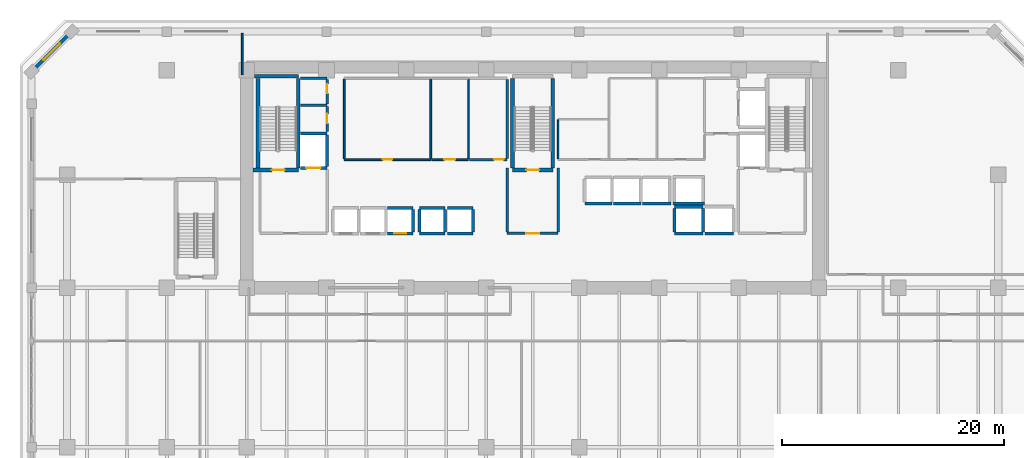
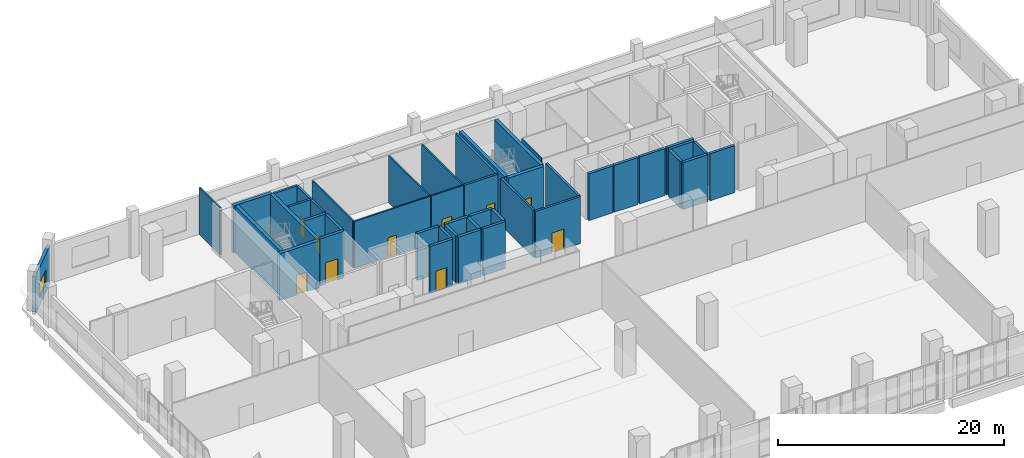
# One storey, part 19 of 25: 46 walls, 10 doors, 1 window, 11 openings.
"""IFC4 building model written with IfcOpenShell, lengths in metres."""

import ifcopenshell
import ifcopenshell.guid

model = None  # the IFC model being written
_history = None  # IfcOwnerHistory: only IFC2X3 demands one
_inside = {}  # id of a spatial element -> (the spatial element, [elements in it])
_under = {}  # id of a project, library or spatial element -> (it, [spatial elements below it])
_declared = {}  # id of a project -> (the project, [libraries it declares])
_typed = {}  # id of a type object -> (the type object, [elements of that type])
_made_of = {}  # id of a material, layer set ... -> (it, [elements and type objects made of it])


def new_model(schema):
    """Start an empty IFC model of exactly this schema.

    Asked for "IFC4X3", IfcOpenShell would pick the latest addendum, in which some entities
    have other attributes; the version numbers below select the first issue.
    IFC2X3 requires an IfcOwnerHistory on every rooted entity: one is made here for all.
    """
    global model, _history
    if schema == "IFC4X3":
        model = ifcopenshell.file(schema_version=(4, 3, 0, 0))
    else:
        model = ifcopenshell.file(schema=schema)
    _inside.clear()
    _under.clear()
    _declared.clear()
    _typed.clear()
    _made_of.clear()
    _history = None
    if model.schema == "IFC2X3":
        org = make("IfcOrganization", Name="unknown")
        user = make(
            "IfcPersonAndOrganization",
            ThePerson=make("IfcPerson", FamilyName="unknown"),
            TheOrganization=org,
        )
        app = make(
            "IfcApplication",
            ApplicationDeveloper=org,
            Version="unknown",
            ApplicationFullName="unknown",
            ApplicationIdentifier="unknown",
        )
        _history = make(
            "IfcOwnerHistory",
            OwningUser=user,
            OwningApplication=app,
            ChangeAction="ADDED",
            CreationDate=0,
        )
    return model


def make(cls, **values):
    """One entity of the class cls with the attributes given. An attribute that is None is left unset."""
    return model.create_entity(
        cls, **{name: value for name, value in values.items() if value is not None}
    )


def rooted(cls, **values):
    """An entity with a GlobalId (a new one), such as an element, a storey or a relation."""
    return make(cls, GlobalId=ifcopenshell.guid.new(), OwnerHistory=_history, **values)


def si_unit(unit_type, name, prefix=None):
    """IfcSIUnit, for example si_unit("LENGTHUNIT", "METRE", prefix="MILLI")."""
    return make("IfcSIUnit", UnitType=unit_type, Prefix=prefix, Name=name)


def assignment(units):
    """IfcUnitAssignment: the units of a project."""
    return None if units is None else make("IfcUnitAssignment", Units=units)


def point(xyz):
    """IfcCartesianPoint."""
    return None if xyz is None else make("IfcCartesianPoint", Coordinates=xyz)


def direction(xyz):
    """IfcDirection."""
    return None if xyz is None else make("IfcDirection", DirectionRatios=xyz)


def frame(location, z_axis=None, x_axis=None):
    """IfcAxis2Placement3D, a coordinate frame: its origin and axes. An axis left out is left unset."""
    return make(
        "IfcAxis2Placement3D",
        Location=point(location),
        Axis=direction(z_axis),
        RefDirection=direction(x_axis),
    )


def frame_2d(location, x_axis=None):
    """IfcAxis2Placement2D, a coordinate frame in the plane: its origin and x axis."""
    return make(
        "IfcAxis2Placement2D", Location=point(location), RefDirection=direction(x_axis)
    )


def origin():
    """The frame at (0, 0, 0) with its axes left unset."""
    return frame((0.0, 0.0, 0.0))


def place(relative_to, where):
    """IfcLocalPlacement: puts the frame where relative to a parent placement (None: the world)."""
    return make(
        "IfcLocalPlacement", PlacementRelTo=relative_to, RelativePlacement=where
    )


def context(
    kind, dimensions, precision=None, world=None, true_north=None, identifier=None
):
    """IfcGeometricRepresentationContext, for example the 3D "Model" context."""
    return make(
        "IfcGeometricRepresentationContext",
        ContextIdentifier=identifier,
        ContextType=kind,
        CoordinateSpaceDimension=dimensions,
        Precision=precision,
        WorldCoordinateSystem=world,
        TrueNorth=true_north,
    )


def subcontext(parent, identifier, kind, view, scale=None):
    """IfcGeometricRepresentationSubContext, for example "Body" below "Model"."""
    return make(
        "IfcGeometricRepresentationSubContext",
        ContextIdentifier=identifier,
        ContextType=kind,
        ParentContext=parent,
        TargetScale=scale,
        TargetView=view,
    )


def project(units=None, contexts=None):
    """IfcProject with its units and contexts."""
    return rooted(
        "IfcProject",
        Name="project",
        RepresentationContexts=contexts,
        UnitsInContext=assignment(units),
    )


def spatial(cls, under=None, at=None, **own):
    """A site, building, storey or space (cls), placed at a placement, below another one or the project."""
    s = rooted(cls, ObjectPlacement=at, **own)
    if under is not None:
        _under.setdefault(under.id(), (under, []))[1].append(s)
    return s


def profile(cls, at=None, kind="AREA", **sizes):
    """A parametric profile (cls). Its sizes go by their IFC names, for example OverallWidth=200.0."""
    return make(cls, ProfileType=kind, Position=at, **sizes)


def rectangle(**sizes):
    """IfcRectangleProfileDef."""
    return profile("IfcRectangleProfileDef", **sizes)


def extrude(swept, where, along, depth):
    """IfcExtrudedAreaSolid: the profile swept, set in the frame where, extruded along a direction by depth."""
    return make(
        "IfcExtrudedAreaSolid",
        SweptArea=swept,
        Position=where,
        ExtrudedDirection=direction(along),
        Depth=depth,
    )


def shape(context_of_items, identifier, shape_type, items):
    """IfcShapeRepresentation: the items that make up one representation, for example the "Body"."""
    return make(
        "IfcShapeRepresentation",
        ContextOfItems=context_of_items,
        RepresentationIdentifier=identifier,
        RepresentationType=shape_type,
        Items=items,
    )


def material(Name=None, Category=None):
    """IfcMaterial."""
    return make("IfcMaterial", Name=Name, Category=Category)


def layer(
    of_material, thickness, ventilated=None, Name=None, Category=None, Priority=None
):
    """IfcMaterialLayer: one layer of a wall or slab, of a material (None: an air gap)."""
    return make(
        "IfcMaterialLayer",
        Material=of_material,
        LayerThickness=thickness,
        IsVentilated=ventilated,
        Name=Name,
        Category=Category,
        Priority=Priority,
    )


def layer_set(layers, Name=None):
    """IfcMaterialLayerSet."""
    return make("IfcMaterialLayerSet", MaterialLayers=layers, LayerSetName=Name)


def made_of(thing, what):
    """Note that an element or type object is made of a material, layer set ...; save() writes the relation."""
    if what is not None:
        _made_of.setdefault(what.id(), (what, []))[1].append(thing)
    return thing


def type_object(cls, material=None, **own):
    """A type object (cls), such as IfcWallType, which elements share."""
    return made_of(rooted(cls, **own), material)


def element(
    cls,
    number,
    at=None,
    inside=None,
    cuts=None,
    type_object=None,
    material=None,
    context=None,
    identifier="Body",
    shape_type=None,
    held_by="IfcProductDefinitionShape",
    body=None,
    shapes=None,
    **own,
):
    """One element of the class cls, such as IfcWall. Its Tag is "e" and its number.

    at: its placement. inside: the storey or other place that contains it. cuts: it is an
    opening in that element (IfcRelVoidsElement). A single representation is given by context,
    identifier, shape_type and body (its items); several are given by shapes. held_by: the class
    of the entity that holds the representations. save() writes the other relations.
    """
    e = rooted(cls, Tag="e%d" % number, ObjectPlacement=at, **own)
    if body is not None:
        shapes = [shape(context, identifier, shape_type, body)]
    if shapes is not None:
        e.Representation = make(held_by, Representations=shapes)
    if inside is not None:
        _inside.setdefault(inside.id(), (inside, []))[1].append(e)
    if cuts is not None:
        rooted(
            "IfcRelVoidsElement", RelatingBuildingElement=cuts, RelatedOpeningElement=e
        )
    if type_object is not None:
        _typed.setdefault(type_object.id(), (type_object, []))[1].append(e)
    return made_of(e, material)


def fill(opening, filler):
    """IfcRelFillsElement: the door or window that sits in an opening."""
    return rooted(
        "IfcRelFillsElement",
        RelatingOpeningElement=opening,
        RelatedBuildingElement=filler,
    )


def aggregate(whole, parts):
    """IfcRelAggregates: a whole, such as a stair, and the parts it consists of."""
    return rooted("IfcRelAggregates", RelatingObject=whole, RelatedObjects=parts)


def save(model, path):
    """Write the relations noted so far, then the file.

    IfcRelAggregates (storeys below a building ...), IfcRelContainedInSpatialStructure (elements
    in a storey), IfcRelDefinesByType, IfcRelAssociatesMaterial and IfcRelDeclares: one each for
    every whole, place, type object, material and project.
    """
    for whole, parts in _under.values():
        aggregate(whole, parts)
    for where, things in _inside.values():
        rooted(
            "IfcRelContainedInSpatialStructure",
            RelatedElements=things,
            RelatingStructure=where,
        )
    for kind, things in _typed.values():
        rooted("IfcRelDefinesByType", RelatedObjects=things, RelatingType=kind)
    for what, things in _made_of.values():
        rooted("IfcRelAssociatesMaterial", RelatedObjects=things, RelatingMaterial=what)
    for by, libraries in _declared.values():
        rooted("IfcRelDeclares", RelatingContext=by, RelatedDefinitions=libraries)
    model.write(path)


model = new_model("IFC4")

# Units and contexts
model_context = context("Model", 3, precision=1e-05, world=origin(), true_north=direction((0.0, 1.0)))
body_context = subcontext(model_context, "Body", "Model", "MODEL_VIEW")
ifc_project = project(units=[si_unit("LENGTHUNIT", "METRE"), si_unit("AREAUNIT", "SQUARE_METRE"), si_unit("VOLUMEUNIT", "CUBIC_METRE"), si_unit("PLANEANGLEUNIT", "RADIAN"), si_unit("MASSUNIT", "GRAM", prefix="KILO")], contexts=[model_context])

# Site, building, storey
site_placement = place(None, origin())
site = spatial("IfcSite", under=ifc_project, at=site_placement, CompositionType="ELEMENT")
building_placement = place(site_placement, origin())
building = spatial("IfcBuilding", under=site, at=building_placement, Name="Kaelvorn Grand Hotel", CompositionType="ELEMENT")
storey_placement = place(building_placement, frame((0.0, 0.0, 14.0)))
storey = spatial("IfcBuildingStorey", under=building, at=storey_placement, Name="L02", CompositionType="ELEMENT", Elevation=14.0)

# Wall, opening, window
ifc_material_1 = material(Name="Concrete C40/50", Category="concrete")
ifc_layer_1 = layer(ifc_material_1, 0.300048828125)
ifc_layer_set_1 = layer_set([ifc_layer_1], Name="Concrete C40/50")
wall_type_1 = type_object("IfcWallType", Name="WL-EXT-300-C40", PredefinedType="SOLIDWALL", material=ifc_layer_set_1)
wall_1_placement = place(storey_placement, frame((0.39990234375, 52.5, 0.0), z_axis=(0.0, 0.0, 1.0), x_axis=(-0.707082803744, -0.707130757816, 0.0)))
wall_1 = element("IfcWall", 1, at=wall_1_placement, inside=storey, type_object=wall_type_1, Name="L02 Exterior Architectural Concrete Wall 06", PredefinedType="SOLIDWALL", context=body_context, shape_type="SweptSolid", body=[
    extrude(rectangle(XDim=5.091064453125, YDim=0.300048828125, at=frame_2d((2.54541015625, 0.0))), origin(), (0.0, 0.0, 1.0), 4.1298828125),
])
opening_1_placement = place(wall_1_placement, frame((1.49560546875, 0.0, 0.85009765625)))
opening_1 = element("IfcOpeningElement", 2, at=opening_1_placement, cuts=wall_1, Name="Opening W7", PredefinedType="OPENING", context=body_context, shape_type="SweptSolid", body=[
    extrude(rectangle(XDim=2.10009765625, YDim=1.60009765625, at=frame_2d((1.050048828125, 0.800048828125))), frame((0.0, 0.16015625, 0.0), z_axis=(0.0, -1.0, 0.0), x_axis=(1.0, 0.0, 0.0)), (0.0, 0.0, 1.0), 0.320068359375),
])
ifc_material_2 = material(Name="Laminated Low-E Glass", Category="glass")
window_type = type_object("IfcWindowType", Name="WIN-CHM-2100x1600", PartitioningType="SINGLE_PANEL", PredefinedType="WINDOW", material=ifc_material_2)
window_placement = place(opening_1_placement, origin())
window = element("IfcWindow", 3, at=window_placement, inside=storey, type_object=window_type, Name="L02 Chamfered 45-Degree Corner Window NW", OverallHeight=1.60009765625, OverallWidth=2.10009765625, PartitioningType="SINGLE_PANEL", PredefinedType="WINDOW", context=body_context, shape_type="SweptSolid", body=[
    extrude(rectangle(XDim=2.10009765625, YDim=1.60009765625, at=frame_2d((1.050048828125, 0.800048828125))), frame((0.0, 0.030029296875, 0.0), z_axis=(0.0, -1.0, 0.0), x_axis=(1.0, 0.0, 0.0)), (0.0, 0.0, 1.0), 0.06005859375),
])
fill(opening_1, window)

# Wall
ifc_material_3 = material(Name="Moisture-Resistant Tile & Stud Board")
ifc_layer_2 = layer(ifc_material_3, 0.125)
ifc_layer_set_2 = layer_set([ifc_layer_2], Name="Moisture-Resistant Tile & Stud Board")
wall_type_2 = type_object("IfcWallType", Name="WL-PART-125-WET", PredefinedType="PARTITIONING", material=ifc_layer_set_2)
wall_2_placement = place(storey_placement, frame((44.300048828125, 41.017578125, 0.0), z_axis=(0.0, 0.0, 1.0), x_axis=(0.0, 1.0, 0.0)))
element("IfcWall", 4, at=wall_2_placement, inside=storey, type_object=wall_type_2, Name="L02 Accessible WC W Partition", PredefinedType="PARTITIONING", context=body_context, shape_type="SweptSolid", body=[
    extrude(rectangle(XDim=3.514892578125, YDim=0.125, at=frame_2d((1.75732421875, 0.0))), origin(), (0.0, 0.0, 1.0), 5.080078125),
])

# Wall, opening, door
ifc_material_4 = material(Name="Acoustic Gypsum & Stud Partition")
ifc_layer_3 = layer(ifc_material_4, 0.14990234375)
ifc_layer_set_3 = layer_set([ifc_layer_3], Name="Acoustic Gypsum & Stud Partition")
wall_type_3 = type_object("IfcWallType", Name="WL-PART-150-EI60", PredefinedType="PARTITIONING", material=ifc_layer_set_3)
wall_3_placement = place(storey_placement, frame((25.0, 40.949951171875, 0.0), z_axis=(0.0, 0.0, 1.0), x_axis=(1.0, 0.0, 0.0)))
wall_3 = element("IfcWall", 5, at=wall_3_placement, inside=storey, type_object=wall_type_3, Name="L02 Housekeeping & Cleaner Store S Partition", PredefinedType="PARTITIONING", context=body_context, shape_type="SweptSolid", body=[
    extrude(rectangle(XDim=7.800048828125, YDim=0.14990234375, at=frame_2d((3.89990234375, 0.0))), origin(), (0.0, 0.0, 1.0), 5.080078125),
])
opening_2_placement = place(wall_3_placement, frame((3.47509765625, 0.0, 0.0)))
opening_2 = element("IfcOpeningElement", 6, at=opening_2_placement, cuts=wall_3, Name="Opening DI7", PredefinedType="OPENING", context=body_context, shape_type="SweptSolid", body=[
    extrude(rectangle(XDim=0.85009765625, YDim=2.10009765625, at=frame_2d((0.425048828125, 1.050048828125))), frame((0.0, 0.0849609375, 0.0), z_axis=(0.0, -1.0, 0.0), x_axis=(1.0, 0.0, 0.0)), (0.0, 0.0, 1.0), 0.169921875),
])
ifc_material_5 = material(Name="Powder-Coated Steel Leaf", Category="steel")
door_type_1 = type_object("IfcDoorType", Name="DR-INT-RISER-850x2100", OperationType="NOTDEFINED", PredefinedType="DOOR", material=ifc_material_5)
door_1_placement = place(opening_2_placement, origin())
door_1 = element("IfcDoor", 7, at=door_1_placement, inside=storey, type_object=door_type_1, Name="L02 Housekeeping & Cleaner Store Door", OperationType="SINGLE_SWING_RIGHT", OverallHeight=2.10009765625, OverallWidth=0.85009765625, PredefinedType="DOOR", context=body_context, shape_type="SweptSolid", body=[
    extrude(rectangle(XDim=0.85009765625, YDim=2.10009765625, at=frame_2d((0.425048828125, 1.050048828125))), frame((0.0, 0.02490234375, 0.0), z_axis=(0.0, -1.0, 0.0), x_axis=(1.0, 0.0, 0.0)), (0.0, 0.0, 1.0), 0.050048828125),
])
fill(opening_2, door_1)

# Walls
for number, where, z_axis, x_axis, name in (
    (8, (25.0, 41.030029296875, 0.0), (0.0, 0.0, 1.0), (0.0, 1.0, 0.0), "L02 Housekeeping & Cleaner Store W Partition"),
    (9, (32.800048828125, 41.030029296875, 0.0), (0.0, 0.0, 1.0), (0.0, 1.0, 0.0), "L02 Housekeeping & Cleaner Store E Partition"),
):
    element("IfcWall", number, at=place(storey_placement, frame(where, z_axis=z_axis, x_axis=x_axis)), inside=storey, type_object=wall_type_3, Name=name, PredefinedType="PARTITIONING", context=body_context, shape_type="SweptSolid", body=[
        extrude(rectangle(XDim=7.18994140625, YDim=0.14990234375, at=frame_2d((3.594970703125, 0.0))), origin(), (0.0, 0.0, 1.0), 5.080078125),
    ])

# Wall, opening, door
wall_4_placement = place(storey_placement, frame((32.8798828125, 40.949951171875, 0.0), z_axis=(0.0, 0.0, 1.0), x_axis=(1.0, 0.0, 0.0)))
wall_4 = element("IfcWall", 10, at=wall_4_placement, inside=storey, type_object=wall_type_3, Name="L02 Floor Butler Tea Point S Partition", PredefinedType="PARTITIONING", context=body_context, shape_type="SweptSolid", body=[
    extrude(rectangle(XDim=3.320068359375, YDim=0.14990234375, at=frame_2d((1.66015625, 0.0))), origin(), (0.0, 0.0, 1.0), 5.080078125),
])
opening_3_placement = place(wall_4_placement, frame((1.1201171875, 0.0, 0.0)))
opening_3 = element("IfcOpeningElement", 11, at=opening_3_placement, cuts=wall_4, Name="Opening DI3", PredefinedType="OPENING", context=body_context, shape_type="SweptSolid", body=[
    extrude(rectangle(XDim=1.0, YDim=2.14990234375, at=frame_2d((0.5, 1.074951171875))), frame((0.0, 0.0849609375, 0.0), z_axis=(0.0, -1.0, 0.0), x_axis=(1.0, 0.0, 0.0)), (0.0, 0.0, 1.0), 0.169921875),
])
ifc_material_6 = material(Name="Timber Veneer Fire Leaf", Category="wood")
door_type_2 = type_object("IfcDoorType", Name="DR-INT-GUEST-1000x2150", OperationType="NOTDEFINED", PredefinedType="DOOR", material=ifc_material_6)
door_2_placement = place(opening_3_placement, origin())
door_2 = element("IfcDoor", 12, at=door_2_placement, inside=storey, type_object=door_type_2, Name="L02 Floor Butler Tea Point Door", OperationType="SINGLE_SWING_LEFT", OverallHeight=2.14990234375, OverallWidth=1.0, PredefinedType="DOOR", context=body_context, shape_type="SweptSolid", body=[
    extrude(rectangle(XDim=1.0, YDim=2.14990234375, at=frame_2d((0.5, 1.074951171875))), frame((0.0, 0.02490234375, 0.0), z_axis=(0.0, -1.0, 0.0), x_axis=(1.0, 0.0, 0.0)), (0.0, 0.0, 1.0), 0.050048828125),
])
fill(opening_3, door_2)

# Walls
wall_5_placement = place(storey_placement, frame((36.199951171875, 41.030029296875, 0.0), z_axis=(0.0, 0.0, 1.0), x_axis=(0.0, 1.0, 0.0)))
element("IfcWall", 13, at=wall_5_placement, inside=storey, type_object=wall_type_3, Name="L02 Floor Butler Tea Point E Partition", PredefinedType="PARTITIONING", context=body_context, shape_type="SweptSolid", body=[
    extrude(rectangle(XDim=7.18994140625, YDim=0.14990234375, at=frame_2d((3.594970703125, 0.0))), origin(), (0.0, 0.0, 1.0), 5.080078125),
])
wall_6_placement = place(storey_placement, frame((15.800048828125, 48.610107421875, 0.0), z_axis=(0.0, 0.0, 1.0), x_axis=(0.0, 1.0, 0.0)))
element("IfcWall", 14, at=wall_6_placement, inside=storey, type_object=wall_type_3, Name="L02 L02 North-West Banquet Support & Admin Office E Partition", PredefinedType="PARTITIONING", context=body_context, shape_type="SweptSolid", body=[
    extrude(rectangle(XDim=3.73486328125, YDim=0.14990234375, at=frame_2d((1.867431640625, 0.0))), origin(), (0.0, 0.0, 1.0), 5.080078125),
])

# Wall, opening, door
ifc_layer_4 = layer(ifc_material_1, 0.219970703125)
ifc_layer_set_4 = layer_set([ifc_layer_4], Name="Concrete C40/50")
wall_type_4 = type_object("IfcWallType", Name="WL-PART-220-EI120", PredefinedType="PARTITIONING", material=ifc_layer_set_4)
wall_7_placement = place(storey_placement, frame((39.699951171875, 34.300048828125, 0.0), z_axis=(0.0, 0.0, 1.0), x_axis=(1.0, 0.0, 0.0)))
wall_7 = element("IfcWall", 15, at=wall_7_placement, inside=storey, type_object=wall_type_4, Name="L02 Central Stair Escape Vestibule S Partition", PredefinedType="PARTITIONING", context=body_context, shape_type="SweptSolid", body=[
    extrude(rectangle(XDim=4.60009765625, YDim=0.219970703125, at=frame_2d((2.300048828125, 0.0))), origin(), (0.0, 0.0, 1.0), 5.080078125),
])
opening_4_placement = place(wall_7_placement, frame((1.699951171875, 0.0, 0.0)))
opening_4 = element("IfcOpeningElement", 16, at=opening_4_placement, cuts=wall_7, Name="Opening DI2", PredefinedType="OPENING", context=body_context, shape_type="SweptSolid", body=[
    extrude(rectangle(XDim=1.199951171875, YDim=2.14990234375, at=frame_2d((0.60009765625, 1.074951171875))), frame((0.0, 0.1201171875, 0.0), z_axis=(0.0, -1.0, 0.0), x_axis=(1.0, 0.0, 0.0)), (0.0, 0.0, 1.0), 0.239990234375),
])
door_type_3 = type_object("IfcDoorType", Name="DR-INT-FFLOB-1200x2150", OperationType="NOTDEFINED", PredefinedType="DOOR", material=ifc_material_6)
door_3_placement = place(opening_4_placement, origin())
door_3 = element("IfcDoor", 17, at=door_3_placement, inside=storey, type_object=door_type_3, Name="L02 Central Stair Escape Vestibule Door", OperationType="SINGLE_SWING_RIGHT", OverallHeight=2.14990234375, OverallWidth=1.199951171875, PredefinedType="DOOR", context=body_context, shape_type="SweptSolid", body=[
    extrude(rectangle(XDim=1.199951171875, YDim=2.14990234375, at=frame_2d((0.60009765625, 1.074951171875))), frame((0.0, 0.02490234375, 0.0), z_axis=(0.0, -1.0, 0.0), x_axis=(1.0, 0.0, 0.0)), (0.0, 0.0, 1.0), 0.050048828125),
])
fill(opening_4, door_3)

# Walls
for number, where, z_axis, x_axis, name in (
    (18, (39.699951171875, 34.4150390625, 0.0), (0.0, 0.0, 1.0), (0.0, 1.0, 0.0), "L02 Central Stair Escape Vestibule W Partition"),
    (19, (44.300048828125, 34.4150390625, 0.0), (0.0, 0.0, 1.0), (0.0, 1.0, 0.0), "L02 Central Stair Escape Vestibule E Partition"),
):
    element("IfcWall", number, at=place(storey_placement, frame(where, z_axis=z_axis, x_axis=x_axis)), inside=storey, type_object=wall_type_4, Name=name, PredefinedType="PARTITIONING", context=body_context, shape_type="SweptSolid", body=[
        extrude(rectangle(XDim=5.784912109375, YDim=0.219970703125, at=frame_2d((2.892578125, 0.0))), origin(), (0.0, 0.0, 1.0), 5.080078125),
    ])
wall_8_placement = place(storey_placement, frame((21.034912109375, 45.85009765625, 0.0), z_axis=(0.0, 0.0, 1.0), x_axis=(1.0, 0.0, 0.0)))
element("IfcWall", 20, at=wall_8_placement, inside=storey, type_object=wall_type_4, Name="L02 Wet Fire & Plumbing Riser Shaft N Partition", PredefinedType="PARTITIONING", context=body_context, shape_type="SweptSolid", body=[
    extrude(rectangle(XDim=2.4150390625, YDim=0.219970703125, at=frame_2d((1.20751953125, 0.0))), origin(), (0.0, 0.0, 1.0), 5.080078125),
])

# Wall, opening, door
wall_9_placement = place(storey_placement, frame((23.449951171875, 43.5, 0.0), z_axis=(0.0, 0.0, 1.0), x_axis=(0.0, 1.0, 0.0)))
wall_9 = element("IfcWall", 21, at=wall_9_placement, inside=storey, type_object=wall_type_4, Name="L02 Wet Fire & Plumbing Riser Shaft E Partition", PredefinedType="PARTITIONING", context=body_context, shape_type="SweptSolid", body=[
    extrude(rectangle(XDim=2.235107421875, YDim=0.219970703125, at=frame_2d((1.11767578125, 0.0))), origin(), (0.0, 0.0, 1.0), 5.080078125),
])
opening_5_placement = place(wall_9_placement, frame((0.72509765625, 0.0, 0.0)))
opening_5 = element("IfcOpeningElement", 22, at=opening_5_placement, cuts=wall_9, Name="Opening DI7", PredefinedType="OPENING", context=body_context, shape_type="SweptSolid", body=[
    extrude(rectangle(XDim=0.85009765625, YDim=2.10009765625, at=frame_2d((0.425048828125, 1.050048828125))), frame((0.0, 0.1201171875, 0.0), z_axis=(0.0, -1.0, 0.0), x_axis=(1.0, 0.0, 0.0)), (0.0, 0.0, 1.0), 0.239990234375),
])
door_4_placement = place(opening_5_placement, origin())
door_4 = element("IfcDoor", 23, at=door_4_placement, inside=storey, type_object=door_type_1, Name="L02 Wet Fire & Plumbing Riser Shaft Door", OperationType="SINGLE_SWING_RIGHT", OverallHeight=2.10009765625, OverallWidth=0.85009765625, PredefinedType="DOOR", context=body_context, shape_type="SweptSolid", body=[
    extrude(rectangle(XDim=0.85009765625, YDim=2.10009765625, at=frame_2d((0.425048828125, 1.050048828125))), frame((0.0, 0.02490234375, 0.0), z_axis=(0.0, -1.0, 0.0), x_axis=(1.0, 0.0, 0.0)), (0.0, 0.0, 1.0), 0.050048828125),
])
fill(opening_5, door_4)

# Wall
wall_10_placement = place(storey_placement, frame((21.034912109375, 48.300048828125, 0.0), z_axis=(0.0, 0.0, 1.0), x_axis=(1.0, 0.0, 0.0)))
element("IfcWall", 24, at=wall_10_placement, inside=storey, type_object=wall_type_4, Name="L02 HV Electrical & Smoke Riser N Partition", PredefinedType="PARTITIONING", context=body_context, shape_type="SweptSolid", body=[
    extrude(rectangle(XDim=2.4150390625, YDim=0.219970703125, at=frame_2d((1.20751953125, 0.0))), origin(), (0.0, 0.0, 1.0), 5.080078125),
])

# Wall, opening, door
wall_11_placement = place(storey_placement, frame((23.449951171875, 45.965087890625, 0.0), z_axis=(0.0, 0.0, 1.0), x_axis=(0.0, 1.0, 0.0)))
wall_11 = element("IfcWall", 25, at=wall_11_placement, inside=storey, type_object=wall_type_4, Name="L02 HV Electrical & Smoke Riser E Partition", PredefinedType="PARTITIONING", context=body_context, shape_type="SweptSolid", body=[
    extrude(rectangle(XDim=2.219970703125, YDim=0.219970703125, at=frame_2d((1.10986328125, 0.0))), origin(), (0.0, 0.0, 1.0), 5.080078125),
])
opening_6_placement = place(wall_11_placement, frame((0.9599609375, 0.0, 0.0)))
opening_6 = element("IfcOpeningElement", 26, at=opening_6_placement, cuts=wall_11, Name="Opening DI7", PredefinedType="OPENING", context=body_context, shape_type="SweptSolid", body=[
    extrude(rectangle(XDim=0.85009765625, YDim=2.10009765625, at=frame_2d((0.425048828125, 1.050048828125))), frame((0.0, 0.1201171875, 0.0), z_axis=(0.0, -1.0, 0.0), x_axis=(1.0, 0.0, 0.0)), (0.0, 0.0, 1.0), 0.239990234375),
])
door_5_placement = place(opening_6_placement, origin())
door_5 = element("IfcDoor", 27, at=door_5_placement, inside=storey, type_object=door_type_1, Name="L02 HV Electrical & Smoke Riser Door", OperationType="SINGLE_SWING_LEFT", OverallHeight=2.10009765625, OverallWidth=0.85009765625, PredefinedType="DOOR", context=body_context, shape_type="SweptSolid", body=[
    extrude(rectangle(XDim=0.85009765625, YDim=2.10009765625, at=frame_2d((0.425048828125, 1.050048828125))), frame((0.0, 0.02490234375, 0.0), z_axis=(0.0, -1.0, 0.0), x_axis=(1.0, 0.0, 0.0)), (0.0, 0.0, 1.0), 0.050048828125),
])
fill(opening_6, door_5)

wall_12_placement = place(storey_placement, frame((36.280029296875, 40.949951171875, 0.0), z_axis=(0.0, 0.0, 1.0), x_axis=(1.0, 0.0, 0.0)))
wall_12 = element("IfcWall", 28, at=wall_12_placement, inside=storey, type_object=wall_type_4, Name="L02 LV Electrical & Metering Room S Partition", PredefinedType="PARTITIONING", context=body_context, shape_type="SweptSolid", body=[
    extrude(rectangle(XDim=3.419921875, YDim=0.219970703125, at=frame_2d((1.7099609375, 0.0))), origin(), (0.0, 0.0, 1.0), 5.080078125),
])
opening_7_placement = place(wall_12_placement, frame((2.2451171875, 0.0, 0.0)))
opening_7 = element("IfcOpeningElement", 29, at=opening_7_placement, cuts=wall_12, Name="Opening DI7", PredefinedType="OPENING", context=body_context, shape_type="SweptSolid", body=[
    extrude(rectangle(XDim=0.85009765625, YDim=2.10009765625, at=frame_2d((0.425048828125, 1.050048828125))), frame((0.0, 0.1201171875, 0.0), z_axis=(0.0, -1.0, 0.0), x_axis=(1.0, 0.0, 0.0)), (0.0, 0.0, 1.0), 0.239990234375),
])
door_6_placement = place(opening_7_placement, origin())
door_6 = element("IfcDoor", 30, at=door_6_placement, inside=storey, type_object=door_type_1, Name="L02 LV Electrical & Metering Room Door", OperationType="SINGLE_SWING_RIGHT", OverallHeight=2.10009765625, OverallWidth=0.85009765625, PredefinedType="DOOR", context=body_context, shape_type="SweptSolid", body=[
    extrude(rectangle(XDim=0.85009765625, YDim=2.10009765625, at=frame_2d((0.425048828125, 1.050048828125))), frame((0.0, 0.02490234375, 0.0), z_axis=(0.0, -1.0, 0.0), x_axis=(1.0, 0.0, 0.0)), (0.0, 0.0, 1.0), 0.050048828125),
])
fill(opening_7, door_6)

# Wall
wall_13_placement = place(storey_placement, frame((39.699951171875, 41.06494140625, 0.0), z_axis=(0.0, 0.0, 1.0), x_axis=(0.0, 1.0, 0.0)))
element("IfcWall", 31, at=wall_13_placement, inside=storey, type_object=wall_type_4, Name="L02 LV Electrical & Metering Room E Partition", PredefinedType="PARTITIONING", context=body_context, shape_type="SweptSolid", body=[
    extrude(rectangle(XDim=7.1201171875, YDim=0.219970703125, at=frame_2d((3.56005859375, 0.0))), origin(), (0.0, 0.0, 1.0), 5.080078125),
])

# Wall, opening, door
ifc_material_7 = material(Name="Concrete C50/60", Category="concrete")
ifc_layer_5 = layer(ifc_material_7, 0.280029296875)
ifc_layer_set_5 = layer_set([ifc_layer_5], Name="Concrete C50/60")
wall_type_5 = type_object("IfcWallType", Name="WL-SHAFT-280-C50", PredefinedType="SHEAR", material=ifc_layer_set_5)
wall_14_placement = place(storey_placement, frame((28.89990234375, 34.300048828125, 0.0), z_axis=(0.0, 0.0, 1.0), x_axis=(1.0, 0.0, 0.0)))
wall_14 = element("IfcWall", 32, at=wall_14_placement, inside=storey, type_object=wall_type_5, Name="L02 Lift PL-L3 Shaft South Wall", PredefinedType="SHEAR", context=body_context, shape_type="SweptSolid", body=[
    extrude(rectangle(XDim=2.300048828125, YDim=0.280029296875, at=frame_2d((1.14990234375, 0.0))), origin(), (0.0, 0.0, 1.0), 5.080078125),
])
opening_8_placement = place(wall_14_placement, frame((0.60009765625, 0.0, 0.0)))
opening_8 = element("IfcOpeningElement", 33, at=opening_8_placement, cuts=wall_14, Name="Opening LD-PL-L3", PredefinedType="OPENING", context=body_context, shape_type="SweptSolid", body=[
    extrude(rectangle(XDim=1.10009765625, YDim=2.199951171875, at=frame_2d((0.550048828125, 1.10009765625))), frame((0.0, 0.14990234375, 0.0), z_axis=(0.0, -1.0, 0.0), x_axis=(1.0, 0.0, 0.0)), (0.0, 0.0, 1.0), 0.300048828125),
])
ifc_material_8 = material(Name="Stainless Steel", Category="steel")
door_type_4 = type_object("IfcDoorType", Name="DR-LIFT-PASS-1100x2200", OperationType="DOUBLE_DOOR_SLIDING", PredefinedType="DOOR", material=ifc_material_8)
door_7_placement = place(opening_8_placement, origin())
door_7 = element("IfcDoor", 34, at=door_7_placement, inside=storey, type_object=door_type_4, Name="L02 Lift PL-L3 Sliding Landing Door LD-PL-L3", OperationType="DOUBLE_DOOR_SLIDING", OverallHeight=2.199951171875, OverallWidth=1.10009765625, PredefinedType="DOOR", context=body_context, shape_type="SweptSolid", body=[
    extrude(rectangle(XDim=1.10009765625, YDim=2.199951171875, at=frame_2d((0.550048828125, 1.10009765625))), frame((0.0, 0.02490234375, 0.0), z_axis=(0.0, -1.0, 0.0), x_axis=(1.0, 0.0, 0.0)), (0.0, 0.0, 1.0), 0.050048828125),
])
fill(opening_8, door_7)

# Walls
wall_15_placement = place(storey_placement, frame((28.89990234375, 36.60009765625, 0.0), z_axis=(0.0, 0.0, 1.0), x_axis=(1.0, 0.0, 0.0)))
element("IfcWall", 35, at=wall_15_placement, inside=storey, type_object=wall_type_5, Name="L02 Lift PL-L3 Shaft North Wall", PredefinedType="SHEAR", context=body_context, shape_type="SweptSolid", body=[
    extrude(rectangle(XDim=2.300048828125, YDim=0.280029296875, at=frame_2d((1.14990234375, 0.0))), origin(), (0.0, 0.0, 1.0), 5.080078125),
])
wall_16_placement = place(storey_placement, frame((31.199951171875, 34.445068359375, 0.0), z_axis=(0.0, 0.0, 1.0), x_axis=(0.0, 1.0, 0.0)))
element("IfcWall", 36, at=wall_16_placement, inside=storey, type_object=wall_type_5, Name="L02 Lift PL-L3 Shaft East Wall", PredefinedType="SHEAR", context=body_context, shape_type="SweptSolid", body=[
    extrude(rectangle(XDim=2.010009765625, YDim=0.280029296875, at=frame_2d((1.0048828125, 0.0))), origin(), (0.0, 0.0, 1.0), 5.080078125),
])
for number, where, z_axis, x_axis, name in (
    (37, (46.699951171875, 37.0, 0.0), (0.0, 0.0, 1.0), (1.0, 0.0, 0.0), "L02 Lift SL-1 Shaft South Wall"),
    (38, (49.300048828125, 37.0, 0.0), (0.0, 0.0, 1.0), (1.0, 0.0, 0.0), "L02 Lift SL-2 Shaft South Wall"),
):
    element("IfcWall", number, at=place(storey_placement, frame(where, z_axis=z_axis, x_axis=x_axis)), inside=storey, type_object=wall_type_5, Name=name, PredefinedType="SHEAR", context=body_context, shape_type="SweptSolid", body=[
        extrude(rectangle(XDim=2.449951171875, YDim=0.280029296875, at=frame_2d((1.22509765625, 0.0))), origin(), (0.0, 0.0, 1.0), 5.080078125),
    ])
wall_17_placement = place(storey_placement, frame((51.89990234375, 37.0, 0.0), z_axis=(0.0, 0.0, 1.0), x_axis=(1.0, 0.0, 0.0)))
element("IfcWall", 39, at=wall_17_placement, inside=storey, type_object=wall_type_5, Name="L02 Lift SL-3 Shaft South Wall", PredefinedType="SHEAR", context=body_context, shape_type="SweptSolid", body=[
    extrude(rectangle(XDim=2.590087890625, YDim=0.280029296875, at=frame_2d((1.294921875, 0.0))), origin(), (0.0, 0.0, 1.0), 5.080078125),
])
for number, where, z_axis, x_axis, name in (
    (40, (54.800048828125, 34.300048828125, 0.0), (0.0, 0.0, 1.0), (1.0, 0.0, 0.0), "L02 Lift OL-1 Shaft South Wall"),
    (41, (54.800048828125, 36.699951171875, 0.0), (0.0, 0.0, 1.0), (1.0, 0.0, 0.0), "L02 Lift OL-1 Shaft North Wall"),
):
    element("IfcWall", number, at=place(storey_placement, frame(where, z_axis=z_axis, x_axis=x_axis)), inside=storey, type_object=wall_type_5, Name=name, PredefinedType="SHEAR", context=body_context, shape_type="SweptSolid", body=[
        extrude(rectangle(XDim=2.550048828125, YDim=0.280029296875, at=frame_2d((1.27490234375, 0.0))), origin(), (0.0, 0.0, 1.0), 5.080078125),
    ])
for number, where, z_axis, x_axis, name in (
    (42, (54.800048828125, 34.445068359375, 0.0), (0.0, 0.0, 1.0), (0.0, 1.0, 0.0), "L02 Lift OL-1 Shaft West Wall"),
    (43, (57.35009765625, 34.445068359375, 0.0), (0.0, 0.0, 1.0), (0.0, 1.0, 0.0), "L02 Lift OL-1 Shaft East Wall"),
):
    element("IfcWall", number, at=place(storey_placement, frame(where, z_axis=z_axis, x_axis=x_axis)), inside=storey, type_object=wall_type_5, Name=name, PredefinedType="SHEAR", context=body_context, shape_type="SweptSolid", body=[
        extrude(rectangle(XDim=2.10986328125, YDim=0.280029296875, at=frame_2d((1.054931640625, 0.0))), origin(), (0.0, 0.0, 1.0), 5.080078125),
    ])
wall_18_placement = place(storey_placement, frame((57.550048828125, 34.300048828125, 0.0), z_axis=(0.0, 0.0, 1.0), x_axis=(1.0, 0.0, 0.0)))
element("IfcWall", 44, at=wall_18_placement, inside=storey, type_object=wall_type_5, Name="L02 Lift OL-2 Shaft South Wall", PredefinedType="SHEAR", context=body_context, shape_type="SweptSolid", body=[
    extrude(rectangle(XDim=2.550048828125, YDim=0.280029296875, at=frame_2d((1.27490234375, 0.0))), origin(), (0.0, 0.0, 1.0), 5.080078125),
])
wall_19_placement = place(storey_placement, frame((54.659912109375, 37.0, 0.0), z_axis=(0.0, 0.0, 1.0), x_axis=(1.0, 0.0, 0.0)))
element("IfcWall", 45, at=wall_19_placement, inside=storey, type_object=wall_type_5, Name="L02 Lift OL-3 Shaft South Wall", PredefinedType="SHEAR", context=body_context, shape_type="SweptSolid", body=[
    extrude(rectangle(XDim=2.830078125, YDim=0.280029296875, at=frame_2d((1.4150390625, 0.0))), origin(), (0.0, 0.0, 1.0), 5.080078125),
])
for number, where, z_axis, x_axis, name in (
    (46, (31.800048828125, 34.300048828125, 0.0), (0.0, 0.0, 1.0), (1.0, 0.0, 0.0), "L02 Lift PK-1 Shaft South Wall"),
    (47, (31.800048828125, 36.60009765625, 0.0), (0.0, 0.0, 1.0), (1.0, 0.0, 0.0), "L02 Lift PK-1 Shaft North Wall"),
):
    element("IfcWall", number, at=place(storey_placement, frame(where, z_axis=z_axis, x_axis=x_axis)), inside=storey, type_object=wall_type_5, Name=name, PredefinedType="SHEAR", context=body_context, shape_type="SweptSolid", body=[
        extrude(rectangle(XDim=2.300048828125, YDim=0.280029296875, at=frame_2d((1.14990234375, 0.0))), origin(), (0.0, 0.0, 1.0), 5.080078125),
    ])
for number, where, z_axis, x_axis, name in (
    (48, (31.800048828125, 34.445068359375, 0.0), (0.0, 0.0, 1.0), (0.0, 1.0, 0.0), "L02 Lift PK-1 Shaft West Wall"),
    (49, (34.10009765625, 34.445068359375, 0.0), (0.0, 0.0, 1.0), (0.0, 1.0, 0.0), "L02 Lift PK-1 Shaft East Wall"),
):
    element("IfcWall", number, at=place(storey_placement, frame(where, z_axis=z_axis, x_axis=x_axis)), inside=storey, type_object=wall_type_5, Name=name, PredefinedType="SHEAR", context=body_context, shape_type="SweptSolid", body=[
        extrude(rectangle(XDim=2.010009765625, YDim=0.280029296875, at=frame_2d((1.0048828125, 0.0))), origin(), (0.0, 0.0, 1.0), 5.080078125),
    ])
for number, where, z_axis, x_axis, name in (
    (50, (34.300048828125, 34.300048828125, 0.0), (0.0, 0.0, 1.0), (1.0, 0.0, 0.0), "L02 Lift PK-2 Shaft South Wall"),
    (51, (34.300048828125, 36.60009765625, 0.0), (0.0, 0.0, 1.0), (1.0, 0.0, 0.0), "L02 Lift PK-2 Shaft North Wall"),
):
    element("IfcWall", number, at=place(storey_placement, frame(where, z_axis=z_axis, x_axis=x_axis)), inside=storey, type_object=wall_type_5, Name=name, PredefinedType="SHEAR", context=body_context, shape_type="SweptSolid", body=[
        extrude(rectangle(XDim=2.300048828125, YDim=0.280029296875, at=frame_2d((1.14990234375, 0.0))), origin(), (0.0, 0.0, 1.0), 5.080078125),
    ])
wall_20_placement = place(storey_placement, frame((36.60009765625, 34.445068359375, 0.0), z_axis=(0.0, 0.0, 1.0), x_axis=(0.0, 1.0, 0.0)))
element("IfcWall", 52, at=wall_20_placement, inside=storey, type_object=wall_type_5, Name="L02 Lift PK-2 Shaft East Wall", PredefinedType="SHEAR", context=body_context, shape_type="SweptSolid", body=[
    extrude(rectangle(XDim=2.010009765625, YDim=0.280029296875, at=frame_2d((1.0048828125, 0.0))), origin(), (0.0, 0.0, 1.0), 5.080078125),
])

# Wall, opening, door
wall_21_placement = place(storey_placement, frame((21.034912109375, 40.199951171875, 0.0), z_axis=(0.0, 0.0, 1.0), x_axis=(1.0, 0.0, 0.0)))
wall_21 = element("IfcWall", 53, at=wall_21_placement, inside=storey, type_object=wall_type_5, Name="L02 Lift FFL1 Shaft South Wall", PredefinedType="SHEAR", context=body_context, shape_type="SweptSolid", body=[
    extrude(rectangle(XDim=2.4150390625, YDim=0.280029296875, at=frame_2d((1.20751953125, 0.0))), origin(), (0.0, 0.0, 1.0), 5.080078125),
])
opening_9_placement = place(wall_21_placement, frame((0.5400390625, 0.0, 0.0)))
opening_9 = element("IfcOpeningElement", 54, at=opening_9_placement, cuts=wall_21, Name="Opening LD-FFL1", PredefinedType="OPENING", context=body_context, shape_type="SweptSolid", body=[
    extrude(rectangle(XDim=1.300048828125, YDim=2.300048828125, at=frame_2d((0.64990234375, 1.14990234375))), frame((0.0, 0.14990234375, 0.0), z_axis=(0.0, -1.0, 0.0), x_axis=(1.0, 0.0, 0.0)), (0.0, 0.0, 1.0), 0.300048828125),
])
door_type_5 = type_object("IfcDoorType", Name="DR-LIFT-SERV-1300x2300", OperationType="DOUBLE_DOOR_SLIDING", PredefinedType="DOOR", material=ifc_material_8)
door_8_placement = place(opening_9_placement, origin())
door_8 = element("IfcDoor", 55, at=door_8_placement, inside=storey, type_object=door_type_5, Name="L02 Lift FFL1 Sliding Landing Door LD-FFL1", OperationType="DOUBLE_DOOR_SLIDING", OverallHeight=2.300048828125, OverallWidth=1.300048828125, PredefinedType="DOOR", context=body_context, shape_type="SweptSolid", body=[
    extrude(rectangle(XDim=1.300048828125, YDim=2.300048828125, at=frame_2d((0.64990234375, 1.14990234375))), frame((0.0, 0.02490234375, 0.0), z_axis=(0.0, -1.0, 0.0), x_axis=(1.0, 0.0, 0.0)), (0.0, 0.0, 1.0), 0.050048828125),
])
fill(opening_9, door_8)

# Walls
wall_22_placement = place(storey_placement, frame((21.034912109375, 43.300048828125, 0.0), z_axis=(0.0, 0.0, 1.0), x_axis=(1.0, 0.0, 0.0)))
element("IfcWall", 56, at=wall_22_placement, inside=storey, type_object=wall_type_5, Name="L02 Lift FFL1 Shaft North Wall", PredefinedType="SHEAR", context=body_context, shape_type="SweptSolid", body=[
    extrude(rectangle(XDim=2.4150390625, YDim=0.280029296875, at=frame_2d((1.20751953125, 0.0))), origin(), (0.0, 0.0, 1.0), 5.080078125),
])
wall_23_placement = place(storey_placement, frame((23.449951171875, 40.344970703125, 0.0), z_axis=(0.0, 0.0, 1.0), x_axis=(0.0, 1.0, 0.0)))
element("IfcWall", 57, at=wall_23_placement, inside=storey, type_object=wall_type_5, Name="L02 Lift FFL1 Shaft East Wall", PredefinedType="SHEAR", context=body_context, shape_type="SweptSolid", body=[
    extrude(rectangle(XDim=2.81005859375, YDim=0.280029296875, at=frame_2d((1.405029296875, 0.0))), origin(), (0.0, 0.0, 1.0), 5.080078125),
])

# Wall, opening, door
ifc_material_9 = material(Name="Concrete C60/75", Category="concrete")
ifc_layer_6 = layer(ifc_material_9, 0.35009765625)
ifc_layer_set_6 = layer_set([ifc_layer_6], Name="Concrete C60/75")
wall_type_6 = type_object("IfcWallType", Name="WL-SHAFT-350-C60", PredefinedType="SHEAR", material=ifc_layer_set_6)
wall_24_placement = place(storey_placement, frame((16.7548828125, 40.02490234375, 0.0), z_axis=(0.0, 0.0, 1.0), x_axis=(1.0, 0.0, 0.0)))
wall_24 = element("IfcWall", 58, at=wall_24_placement, inside=storey, type_object=wall_type_6, Name="L02 ST1 Stair Shaft South Wall", PredefinedType="SHEAR", context=body_context, shape_type="SweptSolid", body=[
    extrude(rectangle(XDim=4.10009765625, YDim=0.35009765625, at=frame_2d((2.050048828125, 0.0))), origin(), (0.0, 0.0, 1.0), 5.080078125),
])
opening_10_placement = place(wall_24_placement, frame((1.7099609375, 0.0, 0.0)))
opening_10 = element("IfcOpeningElement", 59, at=opening_10_placement, cuts=wall_24, Name="Opening DI1", PredefinedType="OPENING", context=body_context, shape_type="SweptSolid", body=[
    extrude(rectangle(XDim=1.14990234375, YDim=2.14990234375, at=frame_2d((0.574951171875, 1.074951171875))), frame((0.0, 0.18505859375, 0.0), z_axis=(0.0, -1.0, 0.0), x_axis=(1.0, 0.0, 0.0)), (0.0, 0.0, 1.0), 0.3701171875),
])
door_type_6 = type_object("IfcDoorType", Name="DR-INT-STAIR-1150x2150", OperationType="NOTDEFINED", PredefinedType="DOOR", material=ifc_material_6)
door_9_placement = place(opening_10_placement, origin())
door_9 = element("IfcDoor", 60, at=door_9_placement, inside=storey, type_object=door_type_6, Name="L02 ST1 Exit Stair Fire Door", OperationType="SINGLE_SWING_RIGHT", OverallHeight=2.14990234375, OverallWidth=1.14990234375, PredefinedType="DOOR", context=body_context, shape_type="SweptSolid", body=[
    extrude(rectangle(XDim=1.14990234375, YDim=2.14990234375, at=frame_2d((0.574951171875, 1.074951171875))), frame((0.0, 0.02490234375, 0.0), z_axis=(0.0, -1.0, 0.0), x_axis=(1.0, 0.0, 0.0)), (0.0, 0.0, 1.0), 0.050048828125),
])
fill(opening_10, door_9)

# Walls
wall_25_placement = place(storey_placement, frame((16.905029296875, 48.47509765625, 0.0), z_axis=(0.0, 0.0, 1.0), x_axis=(1.0, 0.0, 0.0)))
element("IfcWall", 61, at=wall_25_placement, inside=storey, type_object=wall_type_6, Name="L02 ST1 Stair Shaft North Wall", PredefinedType="SHEAR", context=body_context, shape_type="SweptSolid", body=[
    extrude(rectangle(XDim=3.949951171875, YDim=0.35009765625, at=frame_2d((1.97509765625, 0.0))), origin(), (0.0, 0.0, 1.0), 5.080078125),
])
for number, where, z_axis, x_axis, name in (
    (62, (17.22509765625, 40.205078125, 0.0), (0.0, 0.0, 1.0), (0.0, 1.0, 0.0), "L02 ST1 Stair Shaft West Wall"),
    (63, (20.85498046875, 40.205078125, 0.0), (0.0, 0.0, 1.0), (0.0, 1.0, 0.0), "L02 ST1 Stair Shaft East Wall"),
):
    element("IfcWall", number, at=place(storey_placement, frame(where, z_axis=z_axis, x_axis=x_axis)), inside=storey, type_object=wall_type_6, Name=name, PredefinedType="SHEAR", context=body_context, shape_type="SweptSolid", body=[
        extrude(rectangle(XDim=8.08984375, YDim=0.35009765625, at=frame_2d((4.044921875, 0.0))), origin(), (0.0, 0.0, 1.0), 5.080078125),
    ])

# Wall, opening, door
wall_26_placement = place(storey_placement, frame((40.18505859375, 40.02490234375, 0.0), z_axis=(0.0, 0.0, 1.0), x_axis=(1.0, 0.0, 0.0)))
wall_26 = element("IfcWall", 64, at=wall_26_placement, inside=storey, type_object=wall_type_6, Name="L02 ST2 Stair Shaft South Wall", PredefinedType="SHEAR", context=body_context, shape_type="SweptSolid", body=[
    extrude(rectangle(XDim=3.6298828125, YDim=0.35009765625, at=frame_2d((1.81494140625, 0.0))), origin(), (0.0, 0.0, 1.0), 5.080078125),
])
opening_11_placement = place(wall_26_placement, frame((1.239990234375, 0.0, 0.0)))
opening_11 = element("IfcOpeningElement", 65, at=opening_11_placement, cuts=wall_26, Name="Opening DI1", PredefinedType="OPENING", context=body_context, shape_type="SweptSolid", body=[
    extrude(rectangle(XDim=1.14990234375, YDim=2.14990234375, at=frame_2d((0.574951171875, 1.074951171875))), frame((0.0, 0.18505859375, 0.0), z_axis=(0.0, -1.0, 0.0), x_axis=(1.0, 0.0, 0.0)), (0.0, 0.0, 1.0), 0.3701171875),
])
door_10_placement = place(opening_11_placement, origin())
door_10 = element("IfcDoor", 66, at=door_10_placement, inside=storey, type_object=door_type_6, Name="L02 ST2 Exit Stair Fire Door", OperationType="SINGLE_SWING_LEFT", OverallHeight=2.14990234375, OverallWidth=1.14990234375, PredefinedType="DOOR", context=body_context, shape_type="SweptSolid", body=[
    extrude(rectangle(XDim=1.14990234375, YDim=2.14990234375, at=frame_2d((0.574951171875, 1.074951171875))), frame((0.0, 0.02490234375, 0.0), z_axis=(0.0, -1.0, 0.0), x_axis=(1.0, 0.0, 0.0)), (0.0, 0.0, 1.0), 0.050048828125),
])
fill(opening_11, door_10)

# Walls
for number, where, z_axis, x_axis, name in (
    (67, (40.18505859375, 40.205078125, 0.0), (0.0, 0.0, 1.0), (0.0, 1.0, 0.0), "L02 ST2 Stair Shaft West Wall"),
    (68, (43.81494140625, 40.205078125, 0.0), (0.0, 0.0, 1.0), (0.0, 1.0, 0.0), "L02 ST2 Stair Shaft East Wall"),
):
    element("IfcWall", number, at=place(storey_placement, frame(where, z_axis=z_axis, x_axis=x_axis)), inside=storey, type_object=wall_type_6, Name=name, PredefinedType="SHEAR", context=body_context, shape_type="SweptSolid", body=[
        extrude(rectangle(XDim=8.08984375, YDim=0.35009765625, at=frame_2d((4.044921875, 0.0))), origin(), (0.0, 0.0, 1.0), 5.080078125),
    ])

save(model, "model.ifc")
